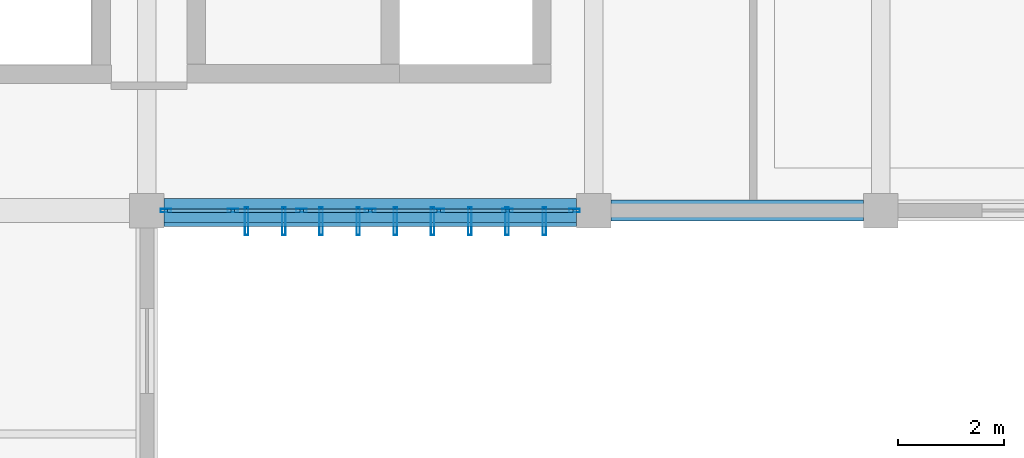
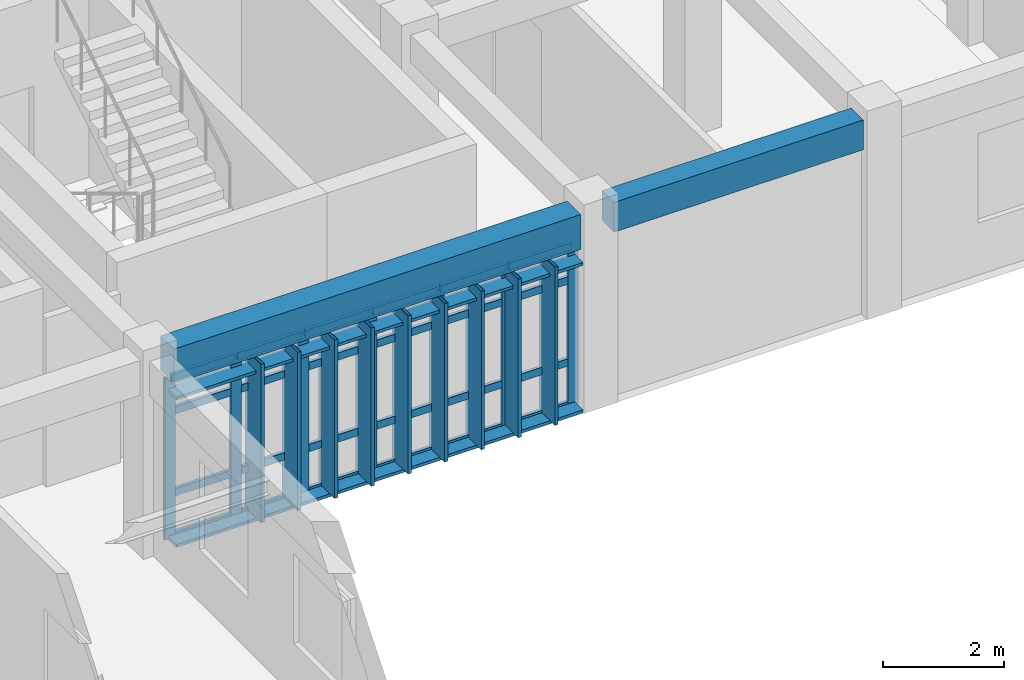
# One storey, part 7 of 23: 42 members, 2 beams, 1 element without a shape of its own.
"""IFC4 building model written with IfcOpenShell, lengths in metres."""

from ifc_helpers import new_model, si_unit, direction, frame, origin, origin_2d, place, context, subcontext, project, spatial, rectangle, hollow_rectangle, extrude, material, layer, layer_set, material_profile, profile_set, type_object, element, aggregate, save


model = new_model("IFC4")

# Units and contexts
model_context = context("Model", 3, precision=1e-05, world=origin(), true_north=direction((0.0, 1.0)))
body_context = subcontext(model_context, "Body", "Model", "MODEL_VIEW")
ifc_project = project(units=[si_unit("LENGTHUNIT", "METRE"), si_unit("AREAUNIT", "SQUARE_METRE"), si_unit("VOLUMEUNIT", "CUBIC_METRE"), si_unit("PLANEANGLEUNIT", "RADIAN"), si_unit("MASSUNIT", "GRAM", prefix="KILO")], contexts=[model_context])

# Site, building, storey
site_placement = place(None, origin())
site = spatial("IfcSite", under=ifc_project, at=site_placement, CompositionType="ELEMENT")
building_placement = place(site_placement, origin())
building = spatial("IfcBuilding", under=site, at=building_placement, Name="Krzemoval Escarpment Law Courts", CompositionType="ELEMENT")
storey_placement = place(building_placement, frame((0.0, 0.0, 25.199951171875)))
storey = spatial("IfcBuildingStorey", under=building, at=storey_placement, Name="L05", CompositionType="ELEMENT", Elevation=25.199951171875)

# Beams
ifc_material_1 = material(Name="Concrete C40/50", Category="concrete")
ifc_material_profile_1 = material_profile(ifc_material_1, rectangle(XDim=0.39990234375, YDim=0.60009765625, at=origin_2d()), Name="RCB 400x600")
ifc_profile_set_1 = profile_set([ifc_material_profile_1], Name="Concrete C40/50")
beam_type_1 = type_object("IfcBeamType", Name="BM-RC-400x600", PredefinedType="BEAM", material=ifc_profile_set_1)
beam_1_placement = place(storey_placement, frame((151.52490234375, 93.60009765625, 3.650146484375), z_axis=(1.0, 0.0, 0.0), x_axis=(0.0, 1.0, 0.0)))
element("IfcBeam", 1, at=beam_1_placement, inside=storey, type_object=beam_type_1, Name="Beam FG-L05-2571", PredefinedType="BEAM", context=body_context, shape_type="SweptSolid", body=[
    extrude(rectangle(XDim=0.39990234375, YDim=0.60009765625, at=origin_2d()), origin(), (0.0, 0.0, 1.0), 4.75),
])
ifc_material_2 = material(Name="Concrete C40/50", Category="concrete")
ifc_material_profile_2 = material_profile(ifc_material_2, rectangle(XDim=0.449951171875, YDim=0.699951171875, at=origin_2d()), Name="RCB 450x700")
ifc_profile_set_2 = profile_set([ifc_material_profile_2], Name="Concrete C40/50")
beam_type_2 = type_object("IfcBeamType", Name="BM-RC-450x700", PredefinedType="BEAM", material=ifc_profile_set_2)
beam_2_placement = place(storey_placement, frame((143.125, 93.60009765625, 3.60009765625), z_axis=(1.0, 0.0, 0.0), x_axis=(0.0, 1.0, 0.0)))
element("IfcBeam", 2, at=beam_2_placement, inside=storey, type_object=beam_type_2, Name="Beam FG-L05-2570", PredefinedType="BEAM", context=body_context, shape_type="SweptSolid", body=[
    extrude(rectangle(XDim=0.449951171875, YDim=0.699951171875, at=origin_2d()), origin(), (0.0, 0.0, 1.0), 7.75),
])

# Curtain wall, members
ifc_material_3 = material(Name="Aluminium 6063-T6", Category="aluminium")
ifc_layer = layer(ifc_material_3, 0.219970703125)
ifc_layer_set = layer_set([ifc_layer], Name="Aluminium 6063-T6")
curtain_wall_type = type_object("IfcCurtainWallType", Name="CW-CHMB-4200", PredefinedType="USERDEFINED", material=ifc_layer_set)
curtain_wall_placement = place(storey_placement, origin())
curtain_wall = element("IfcCurtainWall", 3, at=curtain_wall_placement, inside=storey, type_object=curtain_wall_type, Name="Unitised Curtain Wall FCW-L05-144", ObjectType="UNITISED_CURTAIN_WALL", PredefinedType="USERDEFINED")
ifc_material_4 = material(Name="Aluminium 6063-T6", Category="aluminium")
ifc_material_profile_3 = material_profile(ifc_material_4, hollow_rectangle(XDim=0.06494140625, YDim=0.199951171875, WallThickness=0.00439453125, at=origin_2d()), Name="ALU M65x200")
ifc_profile_set_3 = profile_set([ifc_material_profile_3], Name="Aluminium 6063-T6")
member_type_1 = type_object("IfcMemberType", Name="CWM-65x200", PredefinedType="MULLION", material=ifc_profile_set_3)
member_1_placement = place(storey_placement, frame((150.842529296875, 93.60009765625, 0.0), z_axis=(0.0, 0.0, 1.0), x_axis=(0.0, -1.0, 0.0)))
member_1 = element("IfcMember", 4, at=member_1_placement, type_object=member_type_1, Name="FCW-L05-144 mullion 1", PredefinedType="MULLION", context=body_context, shape_type="SweptSolid", body=[
    extrude(hollow_rectangle(XDim=0.06494140625, YDim=0.199951171875, WallThickness=0.00439453125, at=origin_2d()), origin(), (0.0, 0.0, 1.0), 3.25),
])
member_2_placement = place(storey_placement, frame((149.583251953125, 93.60009765625, 0.0), z_axis=(0.0, 0.0, 1.0), x_axis=(0.0, -1.0, 0.0)))
member_2 = element("IfcMember", 5, at=member_2_placement, type_object=member_type_1, Name="FCW-L05-144 mullion 2", PredefinedType="MULLION", context=body_context, shape_type="SweptSolid", body=[
    extrude(hollow_rectangle(XDim=0.06494140625, YDim=0.199951171875, WallThickness=0.00439453125, at=origin_2d()), origin(), (0.0, 0.0, 1.0), 3.25),
])
member_3_placement = place(storey_placement, frame((148.291748046875, 93.60009765625, 0.0), z_axis=(0.0, 0.0, 1.0), x_axis=(0.0, -1.0, 0.0)))
member_3 = element("IfcMember", 6, at=member_3_placement, type_object=member_type_1, Name="FCW-L05-144 mullion 3", PredefinedType="MULLION", context=body_context, shape_type="SweptSolid", body=[
    extrude(hollow_rectangle(XDim=0.06494140625, YDim=0.199951171875, WallThickness=0.00439453125, at=origin_2d()), origin(), (0.0, 0.0, 1.0), 3.25),
])
member_4_placement = place(storey_placement, frame((147.0, 93.60009765625, 0.0), z_axis=(0.0, 0.0, 1.0), x_axis=(0.0, -1.0, 0.0)))
member_4 = element("IfcMember", 7, at=member_4_placement, type_object=member_type_1, Name="FCW-L05-144 mullion 4", PredefinedType="MULLION", context=body_context, shape_type="SweptSolid", body=[
    extrude(hollow_rectangle(XDim=0.06494140625, YDim=0.199951171875, WallThickness=0.00439453125, at=origin_2d()), origin(), (0.0, 0.0, 1.0), 3.25),
])
member_5_placement = place(storey_placement, frame((145.708251953125, 93.60009765625, 0.0), z_axis=(0.0, 0.0, 1.0), x_axis=(0.0, -1.0, 0.0)))
member_5 = element("IfcMember", 8, at=member_5_placement, type_object=member_type_1, Name="FCW-L05-144 mullion 5", PredefinedType="MULLION", context=body_context, shape_type="SweptSolid", body=[
    extrude(hollow_rectangle(XDim=0.06494140625, YDim=0.199951171875, WallThickness=0.00439453125, at=origin_2d()), origin(), (0.0, 0.0, 1.0), 3.25),
])
member_6_placement = place(storey_placement, frame((144.416748046875, 93.60009765625, 0.0), z_axis=(0.0, 0.0, 1.0), x_axis=(0.0, -1.0, 0.0)))
member_6 = element("IfcMember", 9, at=member_6_placement, type_object=member_type_1, Name="FCW-L05-144 mullion 6", PredefinedType="MULLION", context=body_context, shape_type="SweptSolid", body=[
    extrude(hollow_rectangle(XDim=0.06494140625, YDim=0.199951171875, WallThickness=0.00439453125, at=origin_2d()), origin(), (0.0, 0.0, 1.0), 3.25),
])
member_7_placement = place(storey_placement, frame((143.157470703125, 93.60009765625, 0.0), z_axis=(0.0, 0.0, 1.0), x_axis=(0.0, -1.0, 0.0)))
member_7 = element("IfcMember", 10, at=member_7_placement, type_object=member_type_1, Name="FCW-L05-144 mullion 7", PredefinedType="MULLION", context=body_context, shape_type="SweptSolid", body=[
    extrude(hollow_rectangle(XDim=0.06494140625, YDim=0.199951171875, WallThickness=0.00439453125, at=origin_2d()), origin(), (0.0, 0.0, 1.0), 3.25),
])
ifc_material_5 = material(Name="Aluminium 6063-T6", Category="aluminium")
ifc_material_profile_4 = material_profile(ifc_material_5, hollow_rectangle(XDim=0.06494140625, YDim=0.14990234375, WallThickness=0.00439453125, at=origin_2d()), Name="ALU T65x150")
ifc_profile_set_4 = profile_set([ifc_material_profile_4], Name="Aluminium 6063-T6")
member_type_2 = type_object("IfcMemberType", Name="CWT-65x150", PredefinedType="USERDEFINED", material=ifc_profile_set_4)
member_8_placement = place(storey_placement, frame((150.81005859375, 93.60009765625, 0.032470703125), z_axis=(-1.0, 0.0, 0.0), x_axis=(0.0, -1.0, 0.0)))
member_8 = element("IfcMember", 11, at=member_8_placement, type_object=member_type_2, Name="FCW-L05-144 transom 1.1", ObjectType="TRANSOM", PredefinedType="USERDEFINED", context=body_context, shape_type="SweptSolid", body=[
    extrude(hollow_rectangle(XDim=0.06494140625, YDim=0.14990234375, WallThickness=0.00439453125, at=origin_2d()), origin(), (0.0, 0.0, 1.0), 1.1943359375),
])
member_9_placement = place(storey_placement, frame((150.81005859375, 93.60009765625, 0.900146484375), z_axis=(-1.0, 0.0, 0.0), x_axis=(0.0, -1.0, 0.0)))
member_9 = element("IfcMember", 12, at=member_9_placement, type_object=member_type_2, Name="FCW-L05-144 transom 1.2", ObjectType="TRANSOM", PredefinedType="USERDEFINED", context=body_context, shape_type="SweptSolid", body=[
    extrude(hollow_rectangle(XDim=0.06494140625, YDim=0.14990234375, WallThickness=0.00439453125, at=origin_2d()), origin(), (0.0, 0.0, 1.0), 1.1943359375),
])
member_10_placement = place(storey_placement, frame((150.81005859375, 93.60009765625, 2.550048828125), z_axis=(-1.0, 0.0, 0.0), x_axis=(0.0, -1.0, 0.0)))
member_10 = element("IfcMember", 13, at=member_10_placement, type_object=member_type_2, Name="FCW-L05-144 transom 1.3", ObjectType="TRANSOM", PredefinedType="USERDEFINED", context=body_context, shape_type="SweptSolid", body=[
    extrude(hollow_rectangle(XDim=0.06494140625, YDim=0.14990234375, WallThickness=0.00439453125, at=origin_2d()), origin(), (0.0, 0.0, 1.0), 1.1943359375),
])
member_11_placement = place(storey_placement, frame((150.81005859375, 93.60009765625, 3.217529296875), z_axis=(-1.0, 0.0, 0.0), x_axis=(0.0, -1.0, 0.0)))
member_11 = element("IfcMember", 14, at=member_11_placement, type_object=member_type_2, Name="FCW-L05-144 transom 1.4", ObjectType="TRANSOM", PredefinedType="USERDEFINED", context=body_context, shape_type="SweptSolid", body=[
    extrude(hollow_rectangle(XDim=0.06494140625, YDim=0.14990234375, WallThickness=0.00439453125, at=origin_2d()), origin(), (0.0, 0.0, 1.0), 1.1943359375),
])
member_12_placement = place(storey_placement, frame((149.55078125, 93.60009765625, 0.032470703125), z_axis=(-1.0, 0.0, 0.0), x_axis=(0.0, -1.0, 0.0)))
member_12 = element("IfcMember", 15, at=member_12_placement, type_object=member_type_2, Name="FCW-L05-144 transom 2.1", ObjectType="TRANSOM", PredefinedType="USERDEFINED", context=body_context, shape_type="SweptSolid", body=[
    extrude(hollow_rectangle(XDim=0.06494140625, YDim=0.14990234375, WallThickness=0.00439453125, at=origin_2d()), origin(), (0.0, 0.0, 1.0), 1.2265625),
])
member_13_placement = place(storey_placement, frame((149.55078125, 93.60009765625, 0.900146484375), z_axis=(-1.0, 0.0, 0.0), x_axis=(0.0, -1.0, 0.0)))
member_13 = element("IfcMember", 16, at=member_13_placement, type_object=member_type_2, Name="FCW-L05-144 transom 2.2", ObjectType="TRANSOM", PredefinedType="USERDEFINED", context=body_context, shape_type="SweptSolid", body=[
    extrude(hollow_rectangle(XDim=0.06494140625, YDim=0.14990234375, WallThickness=0.00439453125, at=origin_2d()), origin(), (0.0, 0.0, 1.0), 1.2265625),
])
member_14_placement = place(storey_placement, frame((149.55078125, 93.60009765625, 2.550048828125), z_axis=(-1.0, 0.0, 0.0), x_axis=(0.0, -1.0, 0.0)))
member_14 = element("IfcMember", 17, at=member_14_placement, type_object=member_type_2, Name="FCW-L05-144 transom 2.3", ObjectType="TRANSOM", PredefinedType="USERDEFINED", context=body_context, shape_type="SweptSolid", body=[
    extrude(hollow_rectangle(XDim=0.06494140625, YDim=0.14990234375, WallThickness=0.00439453125, at=origin_2d()), origin(), (0.0, 0.0, 1.0), 1.2265625),
])
member_15_placement = place(storey_placement, frame((149.55078125, 93.60009765625, 3.217529296875), z_axis=(-1.0, 0.0, 0.0), x_axis=(0.0, -1.0, 0.0)))
member_15 = element("IfcMember", 18, at=member_15_placement, type_object=member_type_2, Name="FCW-L05-144 transom 2.4", ObjectType="TRANSOM", PredefinedType="USERDEFINED", context=body_context, shape_type="SweptSolid", body=[
    extrude(hollow_rectangle(XDim=0.06494140625, YDim=0.14990234375, WallThickness=0.00439453125, at=origin_2d()), origin(), (0.0, 0.0, 1.0), 1.2265625),
])
member_16_placement = place(storey_placement, frame((148.25927734375, 93.60009765625, 0.032470703125), z_axis=(-1.0, 0.0, 0.0), x_axis=(0.0, -1.0, 0.0)))
member_16 = element("IfcMember", 19, at=member_16_placement, type_object=member_type_2, Name="FCW-L05-144 transom 3.1", ObjectType="TRANSOM", PredefinedType="USERDEFINED", context=body_context, shape_type="SweptSolid", body=[
    extrude(hollow_rectangle(XDim=0.06494140625, YDim=0.14990234375, WallThickness=0.00439453125, at=origin_2d()), origin(), (0.0, 0.0, 1.0), 1.226806640625),
])
member_17_placement = place(storey_placement, frame((148.25927734375, 93.60009765625, 0.900146484375), z_axis=(-1.0, 0.0, 0.0), x_axis=(0.0, -1.0, 0.0)))
member_17 = element("IfcMember", 20, at=member_17_placement, type_object=member_type_2, Name="FCW-L05-144 transom 3.2", ObjectType="TRANSOM", PredefinedType="USERDEFINED", context=body_context, shape_type="SweptSolid", body=[
    extrude(hollow_rectangle(XDim=0.06494140625, YDim=0.14990234375, WallThickness=0.00439453125, at=origin_2d()), origin(), (0.0, 0.0, 1.0), 1.226806640625),
])
member_18_placement = place(storey_placement, frame((148.25927734375, 93.60009765625, 2.550048828125), z_axis=(-1.0, 0.0, 0.0), x_axis=(0.0, -1.0, 0.0)))
member_18 = element("IfcMember", 21, at=member_18_placement, type_object=member_type_2, Name="FCW-L05-144 transom 3.3", ObjectType="TRANSOM", PredefinedType="USERDEFINED", context=body_context, shape_type="SweptSolid", body=[
    extrude(hollow_rectangle(XDim=0.06494140625, YDim=0.14990234375, WallThickness=0.00439453125, at=origin_2d()), origin(), (0.0, 0.0, 1.0), 1.226806640625),
])
member_19_placement = place(storey_placement, frame((148.25927734375, 93.60009765625, 3.217529296875), z_axis=(-1.0, 0.0, 0.0), x_axis=(0.0, -1.0, 0.0)))
member_19 = element("IfcMember", 22, at=member_19_placement, type_object=member_type_2, Name="FCW-L05-144 transom 3.4", ObjectType="TRANSOM", PredefinedType="USERDEFINED", context=body_context, shape_type="SweptSolid", body=[
    extrude(hollow_rectangle(XDim=0.06494140625, YDim=0.14990234375, WallThickness=0.00439453125, at=origin_2d()), origin(), (0.0, 0.0, 1.0), 1.226806640625),
])
member_20_placement = place(storey_placement, frame((146.967529296875, 93.60009765625, 0.032470703125), z_axis=(-1.0, 0.0, 0.0), x_axis=(0.0, -1.0, 0.0)))
member_20 = element("IfcMember", 23, at=member_20_placement, type_object=member_type_2, Name="FCW-L05-144 transom 4.1", ObjectType="TRANSOM", PredefinedType="USERDEFINED", context=body_context, shape_type="SweptSolid", body=[
    extrude(hollow_rectangle(XDim=0.06494140625, YDim=0.14990234375, WallThickness=0.00439453125, at=origin_2d()), origin(), (0.0, 0.0, 1.0), 1.226806640625),
])
member_21_placement = place(storey_placement, frame((146.967529296875, 93.60009765625, 0.900146484375), z_axis=(-1.0, 0.0, 0.0), x_axis=(0.0, -1.0, 0.0)))
member_21 = element("IfcMember", 24, at=member_21_placement, type_object=member_type_2, Name="FCW-L05-144 transom 4.2", ObjectType="TRANSOM", PredefinedType="USERDEFINED", context=body_context, shape_type="SweptSolid", body=[
    extrude(hollow_rectangle(XDim=0.06494140625, YDim=0.14990234375, WallThickness=0.00439453125, at=origin_2d()), origin(), (0.0, 0.0, 1.0), 1.226806640625),
])
member_22_placement = place(storey_placement, frame((146.967529296875, 93.60009765625, 2.550048828125), z_axis=(-1.0, 0.0, 0.0), x_axis=(0.0, -1.0, 0.0)))
member_22 = element("IfcMember", 25, at=member_22_placement, type_object=member_type_2, Name="FCW-L05-144 transom 4.3", ObjectType="TRANSOM", PredefinedType="USERDEFINED", context=body_context, shape_type="SweptSolid", body=[
    extrude(hollow_rectangle(XDim=0.06494140625, YDim=0.14990234375, WallThickness=0.00439453125, at=origin_2d()), origin(), (0.0, 0.0, 1.0), 1.226806640625),
])
member_23_placement = place(storey_placement, frame((146.967529296875, 93.60009765625, 3.217529296875), z_axis=(-1.0, 0.0, 0.0), x_axis=(0.0, -1.0, 0.0)))
member_23 = element("IfcMember", 26, at=member_23_placement, type_object=member_type_2, Name="FCW-L05-144 transom 4.4", ObjectType="TRANSOM", PredefinedType="USERDEFINED", context=body_context, shape_type="SweptSolid", body=[
    extrude(hollow_rectangle(XDim=0.06494140625, YDim=0.14990234375, WallThickness=0.00439453125, at=origin_2d()), origin(), (0.0, 0.0, 1.0), 1.226806640625),
])
member_24_placement = place(storey_placement, frame((145.67578125, 93.60009765625, 0.032470703125), z_axis=(-1.0, 0.0, 0.0), x_axis=(0.0, -1.0, 0.0)))
member_24 = element("IfcMember", 27, at=member_24_placement, type_object=member_type_2, Name="FCW-L05-144 transom 5.1", ObjectType="TRANSOM", PredefinedType="USERDEFINED", context=body_context, shape_type="SweptSolid", body=[
    extrude(hollow_rectangle(XDim=0.06494140625, YDim=0.14990234375, WallThickness=0.00439453125, at=origin_2d()), origin(), (0.0, 0.0, 1.0), 1.2265625),
])
member_25_placement = place(storey_placement, frame((145.67578125, 93.60009765625, 0.900146484375), z_axis=(-1.0, 0.0, 0.0), x_axis=(0.0, -1.0, 0.0)))
member_25 = element("IfcMember", 28, at=member_25_placement, type_object=member_type_2, Name="FCW-L05-144 transom 5.2", ObjectType="TRANSOM", PredefinedType="USERDEFINED", context=body_context, shape_type="SweptSolid", body=[
    extrude(hollow_rectangle(XDim=0.06494140625, YDim=0.14990234375, WallThickness=0.00439453125, at=origin_2d()), origin(), (0.0, 0.0, 1.0), 1.2265625),
])
member_26_placement = place(storey_placement, frame((145.67578125, 93.60009765625, 2.550048828125), z_axis=(-1.0, 0.0, 0.0), x_axis=(0.0, -1.0, 0.0)))
member_26 = element("IfcMember", 29, at=member_26_placement, type_object=member_type_2, Name="FCW-L05-144 transom 5.3", ObjectType="TRANSOM", PredefinedType="USERDEFINED", context=body_context, shape_type="SweptSolid", body=[
    extrude(hollow_rectangle(XDim=0.06494140625, YDim=0.14990234375, WallThickness=0.00439453125, at=origin_2d()), origin(), (0.0, 0.0, 1.0), 1.2265625),
])
member_27_placement = place(storey_placement, frame((145.67578125, 93.60009765625, 3.217529296875), z_axis=(-1.0, 0.0, 0.0), x_axis=(0.0, -1.0, 0.0)))
member_27 = element("IfcMember", 30, at=member_27_placement, type_object=member_type_2, Name="FCW-L05-144 transom 5.4", ObjectType="TRANSOM", PredefinedType="USERDEFINED", context=body_context, shape_type="SweptSolid", body=[
    extrude(hollow_rectangle(XDim=0.06494140625, YDim=0.14990234375, WallThickness=0.00439453125, at=origin_2d()), origin(), (0.0, 0.0, 1.0), 1.2265625),
])
member_28_placement = place(storey_placement, frame((144.38427734375, 93.60009765625, 0.032470703125), z_axis=(-1.0, 0.0, 0.0), x_axis=(0.0, -1.0, 0.0)))
member_28 = element("IfcMember", 31, at=member_28_placement, type_object=member_type_2, Name="FCW-L05-144 transom 6.1", ObjectType="TRANSOM", PredefinedType="USERDEFINED", context=body_context, shape_type="SweptSolid", body=[
    extrude(hollow_rectangle(XDim=0.06494140625, YDim=0.14990234375, WallThickness=0.00439453125, at=origin_2d()), origin(), (0.0, 0.0, 1.0), 1.1943359375),
])
member_29_placement = place(storey_placement, frame((144.38427734375, 93.60009765625, 0.900146484375), z_axis=(-1.0, 0.0, 0.0), x_axis=(0.0, -1.0, 0.0)))
member_29 = element("IfcMember", 32, at=member_29_placement, type_object=member_type_2, Name="FCW-L05-144 transom 6.2", ObjectType="TRANSOM", PredefinedType="USERDEFINED", context=body_context, shape_type="SweptSolid", body=[
    extrude(hollow_rectangle(XDim=0.06494140625, YDim=0.14990234375, WallThickness=0.00439453125, at=origin_2d()), origin(), (0.0, 0.0, 1.0), 1.1943359375),
])
member_30_placement = place(storey_placement, frame((144.38427734375, 93.60009765625, 2.550048828125), z_axis=(-1.0, 0.0, 0.0), x_axis=(0.0, -1.0, 0.0)))
member_30 = element("IfcMember", 33, at=member_30_placement, type_object=member_type_2, Name="FCW-L05-144 transom 6.3", ObjectType="TRANSOM", PredefinedType="USERDEFINED", context=body_context, shape_type="SweptSolid", body=[
    extrude(hollow_rectangle(XDim=0.06494140625, YDim=0.14990234375, WallThickness=0.00439453125, at=origin_2d()), origin(), (0.0, 0.0, 1.0), 1.1943359375),
])
member_31_placement = place(storey_placement, frame((144.38427734375, 93.60009765625, 3.217529296875), z_axis=(-1.0, 0.0, 0.0), x_axis=(0.0, -1.0, 0.0)))
member_31 = element("IfcMember", 34, at=member_31_placement, type_object=member_type_2, Name="FCW-L05-144 transom 6.4", ObjectType="TRANSOM", PredefinedType="USERDEFINED", context=body_context, shape_type="SweptSolid", body=[
    extrude(hollow_rectangle(XDim=0.06494140625, YDim=0.14990234375, WallThickness=0.00439453125, at=origin_2d()), origin(), (0.0, 0.0, 1.0), 1.1943359375),
])
aggregate(curtain_wall, [member_1, member_2, member_3, member_4, member_5, member_6, member_7, member_8, member_9, member_10, member_11, member_12, member_13, member_14, member_15, member_16, member_17, member_18, member_19, member_20, member_21, member_22, member_23, member_24, member_25, member_26, member_27, member_28, member_29, member_30, member_31])

# Members
ifc_material_6 = material(Name="Anodised Aluminium Alloy 6063-T6", Category="aluminium")
ifc_material_profile_5 = material_profile(ifc_material_6, hollow_rectangle(XDim=0.06005859375, YDim=0.320068359375, WallThickness=0.00390625, at=origin_2d()), Name="ALU LVR 60x320")
ifc_profile_set_5 = profile_set([ifc_material_profile_5], Name="Anodised Aluminium Alloy 6063-T6")
member_type_3 = type_object("IfcMemberType", Name="LVR-ALU-320", PredefinedType="USERDEFINED", material=ifc_profile_set_5)
for number, where, z_axis, x_axis, name in (
    (35, (150.875, 93.4599609375, 0.030029296875), (-1.0, 0.0, 0.0), (0.0, 0.0, 1.0), "Sunshade Support Rail FSR-L05-0950"),
    (36, (150.875, 93.4599609375, 3.0), (-1.0, 0.0, 0.0), (0.0, 0.0, 1.0), "Sunshade Support Rail FSR-L05-0951"),
):
    element("IfcMember", number, at=place(storey_placement, frame(where, z_axis=z_axis, x_axis=x_axis)), inside=storey, type_object=member_type_3, Name=name, ObjectType="SUNSHADE_LOUVRE", PredefinedType="USERDEFINED", context=body_context, shape_type="SweptSolid", body=[
        extrude(hollow_rectangle(XDim=0.06005859375, YDim=0.320068359375, WallThickness=0.00390625, at=origin_2d()), origin(), (0.0, 0.0, 1.0), 7.75),
    ])
ifc_material_7 = material(Name="Anodised Aluminium Alloy 6063-T6", Category="aluminium")
ifc_material_profile_6 = material_profile(ifc_material_7, hollow_rectangle(XDim=0.06494140625, YDim=0.52001953125, WallThickness=0.00439453125, at=origin_2d()), Name="ALU LVR 65x520")
ifc_profile_set_6 = profile_set([ifc_material_profile_6], Name="Anodised Aluminium Alloy 6063-T6")
member_type_4 = type_object("IfcMemberType", Name="LVR-ALU-520", PredefinedType="USERDEFINED", material=ifc_profile_set_6)
for number, where, z_axis, x_axis, name in (
    (37, (150.27490234375, 93.39990234375, 0.06005859375), (0.0, 0.0, 1.0), (1.0, 0.0, 0.0), "Sunshade Louvre Fin FLV-L05-0952"),
    (38, (149.574951171875, 93.39990234375, 0.06005859375), (0.0, 0.0, 1.0), (1.0, 0.0, 0.0), "Sunshade Louvre Fin FLV-L05-0953"),
    (39, (148.875, 93.39990234375, 0.06005859375), (0.0, 0.0, 1.0), (1.0, 0.0, 0.0), "Sunshade Louvre Fin FLV-L05-0954"),
    (40, (148.175048828125, 93.39990234375, 0.06005859375), (0.0, 0.0, 1.0), (1.0, 0.0, 0.0), "Sunshade Louvre Fin FLV-L05-0955"),
    (41, (147.47509765625, 93.39990234375, 0.06005859375), (0.0, 0.0, 1.0), (1.0, 0.0, 0.0), "Sunshade Louvre Fin FLV-L05-0956"),
    (42, (146.77490234375, 93.39990234375, 0.06005859375), (0.0, 0.0, 1.0), (1.0, 0.0, 0.0), "Sunshade Louvre Fin FLV-L05-0957"),
    (43, (146.074951171875, 93.39990234375, 0.06005859375), (0.0, 0.0, 1.0), (1.0, 0.0, 0.0), "Sunshade Louvre Fin FLV-L05-0958"),
    (44, (145.375, 93.39990234375, 0.06005859375), (0.0, 0.0, 1.0), (1.0, 0.0, 0.0), "Sunshade Louvre Fin FLV-L05-0959"),
    (45, (144.675048828125, 93.39990234375, 0.06005859375), (0.0, 0.0, 1.0), (1.0, 0.0, 0.0), "Sunshade Louvre Fin FLV-L05-0960"),
):
    element("IfcMember", number, at=place(storey_placement, frame(where, z_axis=z_axis, x_axis=x_axis)), inside=storey, type_object=member_type_4, Name=name, ObjectType="SUNSHADE_LOUVRE", PredefinedType="USERDEFINED", context=body_context, shape_type="SweptSolid", body=[
        extrude(hollow_rectangle(XDim=0.06494140625, YDim=0.52001953125, WallThickness=0.00439453125, at=origin_2d()), origin(), (0.0, 0.0, 1.0), 3.18994140625),
    ])

save(model, "model.ifc")
